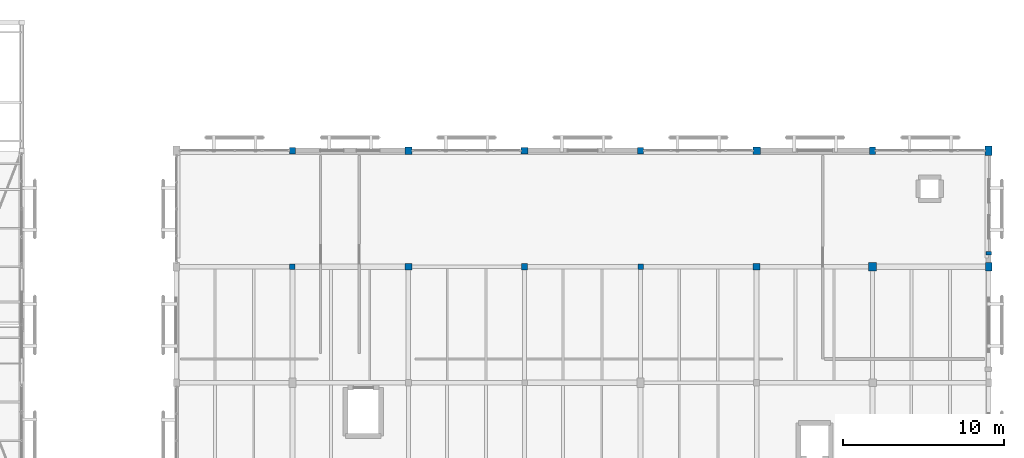
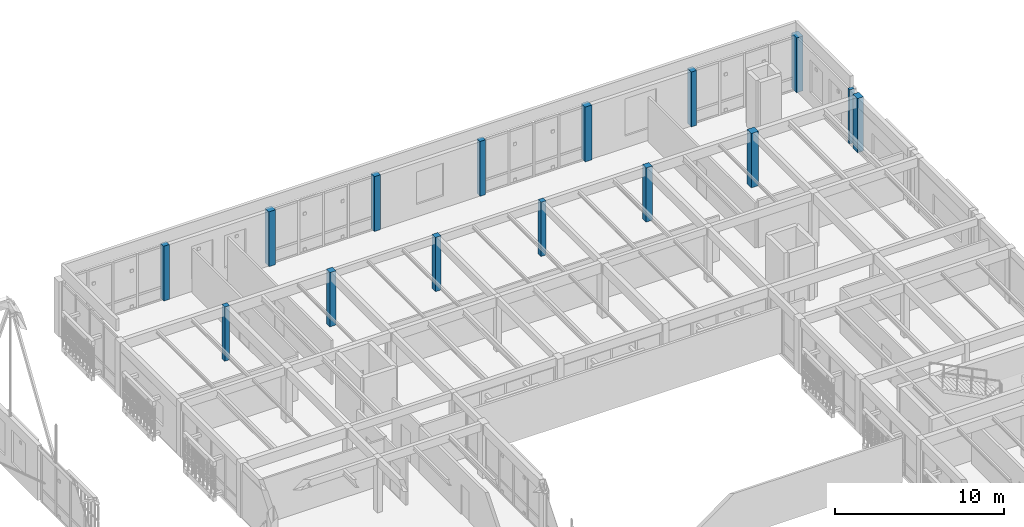
# One storey, part 15 of 217: 15 columns.
"""IFC4 building model written with IfcOpenShell, lengths in metres."""

from ifc_helpers import new_model, si_unit, direction, frame, origin, origin_2d, place, context, subcontext, project, spatial, rectangle, extrude, material, material_profile, profile_set, type_object, element, save


model = new_model("IFC4")

# Units and contexts
model_context = context("Model", 3, precision=1e-05, world=origin(), true_north=direction((0.0, 1.0)))
body_context = subcontext(model_context, "Body", "Model", "MODEL_VIEW")
ifc_project = project(units=[si_unit("LENGTHUNIT", "METRE"), si_unit("AREAUNIT", "SQUARE_METRE"), si_unit("VOLUMEUNIT", "CUBIC_METRE"), si_unit("PLANEANGLEUNIT", "RADIAN"), si_unit("MASSUNIT", "GRAM", prefix="KILO")], contexts=[model_context])

# Site, building, storey
site_placement = place(None, origin())
site = spatial("IfcSite", under=ifc_project, at=site_placement, CompositionType="ELEMENT")
building_placement = place(site_placement, origin())
building = spatial("IfcBuilding", under=site, at=building_placement, Name="Mazaris Harbour Polytechnic", CompositionType="ELEMENT")
storey_placement = place(building_placement, frame((0.0, 0.0, 9.60009765625)))
storey = spatial("IfcBuildingStorey", under=building, at=storey_placement, Name="L02", CompositionType="ELEMENT", Elevation=9.60009765625)

# Columns
ifc_material_1 = material(Name="Glulam GL28h", Category="wood")
ifc_material_profile_1 = material_profile(ifc_material_1, rectangle(XDim=0.340087890625, YDim=0.340087890625, at=origin_2d()), Name="RECT340x340")
ifc_profile_set_1 = profile_set([ifc_material_profile_1], Name="Glulam GL28h")
column_type_1 = type_object("IfcColumnType", Name="Glulam Column 340x340", PredefinedType="COLUMN", material=ifc_profile_set_1)
for number, where, z_axis, x_axis, name in (
    (1, (129.60009765625, 100.800048828125, 0.0), (0.0, 0.0, 1.0), (1.0, 0.0, 0.0), "V5 L02 Column 1344"),
    (2, (151.199951171875, 100.800048828125, 0.0), (0.0, 0.0, 1.0), (1.0, 0.0, 0.0), "V5 L02 Column 1368"),
):
    element("IfcColumn", number, at=place(storey_placement, frame(where, z_axis=z_axis, x_axis=x_axis)), inside=storey, type_object=column_type_1, Name=name, PredefinedType="COLUMN", context=body_context, shape_type="SweptSolid", body=[
        extrude(rectangle(XDim=0.340087890625, YDim=0.340087890625, at=origin_2d()), origin(), (0.0, 0.0, 1.0), 3.919921875),
    ])
ifc_material_2 = material(Name="Glulam GL28h", Category="wood")
ifc_material_profile_2 = material_profile(ifc_material_2, rectangle(XDim=0.360107421875, YDim=0.47998046875, at=origin_2d()), Name="RECT360x480")
ifc_profile_set_2 = profile_set([ifc_material_profile_2], Name="Glulam GL28h")
column_type_2 = type_object("IfcColumnType", Name="Glulam Column 360x480 Exterior", PredefinedType="COLUMN", material=ifc_profile_set_2)
column_1_placement = place(storey_placement, frame((165.60009765625, 108.0, 0.0), z_axis=(0.0, 0.0, 1.0), x_axis=(1.0, 0.0, 0.0)))
element("IfcColumn", 3, at=column_1_placement, inside=storey, type_object=column_type_2, Name="V5 L02 Column 1389", PredefinedType="COLUMN", context=body_context, shape_type="SweptSolid", body=[
    extrude(rectangle(XDim=0.360107421875, YDim=0.47998046875, at=origin_2d()), origin(), (0.0, 0.0, 1.0), 3.9599609375),
])
ifc_material_3 = material(Name="Glulam GL28h", Category="wood")
ifc_material_profile_3 = material_profile(ifc_material_3, rectangle(XDim=0.3798828125, YDim=0.3798828125, at=origin_2d()), Name="RECT380x380")
ifc_profile_set_3 = profile_set([ifc_material_profile_3], Name="Glulam GL28h")
column_type_3 = type_object("IfcColumnType", Name="Glulam Column 380x380", PredefinedType="COLUMN", material=ifc_profile_set_3)
column_2_placement = place(storey_placement, frame((144.0, 100.800048828125, 0.0), z_axis=(0.0, 0.0, 1.0), x_axis=(1.0, 0.0, 0.0)))
element("IfcColumn", 4, at=column_2_placement, inside=storey, type_object=column_type_3, Name="V5 L02 Column 1361", PredefinedType="COLUMN", context=body_context, shape_type="SweptSolid", body=[
    extrude(rectangle(XDim=0.3798828125, YDim=0.3798828125, at=origin_2d()), origin(), (0.0, 0.0, 1.0), 3.919921875),
])
ifc_material_4 = material(Name="Glulam GL28h", Category="wood")
ifc_material_profile_4 = material_profile(ifc_material_4, rectangle(XDim=0.3798828125, YDim=0.3798828125, at=origin_2d()), Name="RECT380x380")
ifc_profile_set_4 = profile_set([ifc_material_profile_4], Name="Glulam GL28h")
column_type_4 = type_object("IfcColumnType", Name="Glulam Column 380x380 Exterior", PredefinedType="COLUMN", material=ifc_profile_set_4)
for number, where, z_axis, x_axis, name in (
    (5, (129.60009765625, 108.0, 0.0), (0.0, 0.0, 1.0), (1.0, 0.0, 0.0), "V5 L02 Column 1345"),
    (6, (151.199951171875, 108.0, 0.0), (0.0, 0.0, 1.0), (1.0, 0.0, 0.0), "V5 L02 Column 1369"),
):
    element("IfcColumn", number, at=place(storey_placement, frame(where, z_axis=z_axis, x_axis=x_axis)), inside=storey, type_object=column_type_4, Name=name, PredefinedType="COLUMN", context=body_context, shape_type="SweptSolid", body=[
        extrude(rectangle(XDim=0.3798828125, YDim=0.3798828125, at=origin_2d()), origin(), (0.0, 0.0, 1.0), 3.9599609375),
    ])
ifc_material_5 = material(Name="Glulam GL28h", Category="wood")
ifc_material_profile_5 = material_profile(ifc_material_5, rectangle(XDim=0.39990234375, YDim=0.5400390625, at=origin_2d()), Name="RECT400x540")
ifc_profile_set_5 = profile_set([ifc_material_profile_5], Name="Glulam GL28h")
column_type_5 = type_object("IfcColumnType", Name="Glulam Column 400x540 Exterior", PredefinedType="COLUMN", material=ifc_profile_set_5)
column_3_placement = place(storey_placement, frame((172.800048828125, 100.800048828125, 0.0), z_axis=(0.0, 0.0, 1.0), x_axis=(1.0, 0.0, 0.0)))
element("IfcColumn", 7, at=column_3_placement, inside=storey, type_object=column_type_5, Name="V5 L02 Column 1398", PredefinedType="COLUMN", context=body_context, shape_type="SweptSolid", body=[
    extrude(rectangle(XDim=0.39990234375, YDim=0.5400390625, at=origin_2d()), origin(), (0.0, 0.0, 1.0), 3.919921875),
])
ifc_material_6 = material(Name="Glulam GL28h", Category="wood")
ifc_material_profile_6 = material_profile(ifc_material_6, rectangle(XDim=0.419921875, YDim=0.419921875, at=origin_2d()), Name="RECT420x420")
ifc_profile_set_6 = profile_set([ifc_material_profile_6], Name="Glulam GL28h")
column_type_6 = type_object("IfcColumnType", Name="Glulam Column 420x420", PredefinedType="COLUMN", material=ifc_profile_set_6)
for number, where, z_axis, x_axis, name in (
    (8, (136.800048828125, 100.800048828125, 0.0), (0.0, 0.0, 1.0), (1.0, 0.0, 0.0), "V5 L02 Column 1354"),
    (9, (158.39990234375, 100.800048828125, 0.0), (0.0, 0.0, 1.0), (1.0, 0.0, 0.0), "V5 L02 Column 1378"),
):
    element("IfcColumn", number, at=place(storey_placement, frame(where, z_axis=z_axis, x_axis=x_axis)), inside=storey, type_object=column_type_6, Name=name, PredefinedType="COLUMN", context=body_context, shape_type="SweptSolid", body=[
        extrude(rectangle(XDim=0.419921875, YDim=0.419921875, at=origin_2d()), origin(), (0.0, 0.0, 1.0), 3.919921875),
    ])
ifc_material_7 = material(Name="Glulam GL28h", Category="wood")
ifc_material_profile_7 = material_profile(ifc_material_7, rectangle(XDim=0.419921875, YDim=0.419921875, at=origin_2d()), Name="RECT420x420")
ifc_profile_set_7 = profile_set([ifc_material_profile_7], Name="Glulam GL28h")
column_type_7 = type_object("IfcColumnType", Name="Glulam Column 420x420 Exterior", PredefinedType="COLUMN", material=ifc_profile_set_7)
column_4_placement = place(storey_placement, frame((144.0, 108.0, 0.0), z_axis=(0.0, 0.0, 1.0), x_axis=(1.0, 0.0, 0.0)))
element("IfcColumn", 10, at=column_4_placement, inside=storey, type_object=column_type_7, Name="V5 L02 Column 1362", PredefinedType="COLUMN", context=body_context, shape_type="SweptSolid", body=[
    extrude(rectangle(XDim=0.419921875, YDim=0.419921875, at=origin_2d()), origin(), (0.0, 0.0, 1.0), 3.9599609375),
])
ifc_material_8 = material(Name="Glulam GL28h", Category="wood")
ifc_material_profile_8 = material_profile(ifc_material_8, rectangle(XDim=0.43994140625, YDim=0.60009765625, at=origin_2d()), Name="RECT440x600")
ifc_profile_set_8 = profile_set([ifc_material_profile_8], Name="Glulam GL28h")
column_type_8 = type_object("IfcColumnType", Name="Glulam Column 440x600 Exterior", PredefinedType="COLUMN", material=ifc_profile_set_8)
column_5_placement = place(storey_placement, frame((172.800048828125, 108.0, 0.0), z_axis=(0.0, 0.0, 1.0), x_axis=(1.0, 0.0, 0.0)))
element("IfcColumn", 11, at=column_5_placement, inside=storey, type_object=column_type_8, Name="V5 L02 Column 1399", PredefinedType="COLUMN", context=body_context, shape_type="SweptSolid", body=[
    extrude(rectangle(XDim=0.43994140625, YDim=0.60009765625, at=origin_2d()), origin(), (0.0, 0.0, 1.0), 3.9599609375),
])
ifc_material_9 = material(Name="Glulam GL28h", Category="wood")
ifc_material_profile_9 = material_profile(ifc_material_9, rectangle(XDim=0.4599609375, YDim=0.4599609375, at=origin_2d()), Name="RECT460x460")
ifc_profile_set_9 = profile_set([ifc_material_profile_9], Name="Glulam GL28h")
column_type_9 = type_object("IfcColumnType", Name="Glulam Column 460x460 Exterior", PredefinedType="COLUMN", material=ifc_profile_set_9)
for number, where, z_axis, x_axis, name in (
    (12, (136.800048828125, 108.0, 0.0), (0.0, 0.0, 1.0), (1.0, 0.0, 0.0), "V5 L02 Column 1355"),
    (13, (158.39990234375, 108.0, 0.0), (0.0, 0.0, 1.0), (1.0, 0.0, 0.0), "V5 L02 Column 1379"),
):
    element("IfcColumn", number, at=place(storey_placement, frame(where, z_axis=z_axis, x_axis=x_axis)), inside=storey, type_object=column_type_9, Name=name, PredefinedType="COLUMN", context=body_context, shape_type="SweptSolid", body=[
        extrude(rectangle(XDim=0.4599609375, YDim=0.4599609375, at=origin_2d()), origin(), (0.0, 0.0, 1.0), 3.9599609375),
    ])
ifc_material_10 = material(Name="Glulam GL28h", Category="wood")
ifc_material_profile_10 = material_profile(ifc_material_10, rectangle(XDim=0.5, YDim=0.5, at=origin_2d()), Name="RECT500x500")
ifc_profile_set_10 = profile_set([ifc_material_profile_10], Name="Glulam GL28h")
column_type_10 = type_object("IfcColumnType", Name="Glulam Column 500x500", PredefinedType="COLUMN", material=ifc_profile_set_10)
column_6_placement = place(storey_placement, frame((165.60009765625, 100.800048828125, 0.0), z_axis=(0.0, 0.0, 1.0), x_axis=(1.0, 0.0, 0.0)))
element("IfcColumn", 14, at=column_6_placement, inside=storey, type_object=column_type_10, Name="V5 L02 Column 1388", PredefinedType="COLUMN", context=body_context, shape_type="SweptSolid", body=[
    extrude(rectangle(XDim=0.5, YDim=0.5, at=origin_2d()), origin(), (0.0, 0.0, 1.0), 3.919921875),
])
ifc_material_11 = material(Name="Concrete C35/45", Category="concrete")
ifc_material_profile_11 = material_profile(ifc_material_11, rectangle(XDim=0.320068359375, YDim=0.219970703125, at=origin_2d()), Name="RECT320x220")
ifc_profile_set_11 = profile_set([ifc_material_profile_11], Name="Concrete C35/45")
column_type_11 = type_object("IfcColumnType", Name="Limestone Pilaster 320x220", PredefinedType="PILASTER", material=ifc_profile_set_11)
column_7_placement = place(storey_placement, frame((172.800048828125, 101.64990234375, 0.0), z_axis=(0.0, 0.0, 1.0), x_axis=(1.0, 0.0, 0.0)))
element("IfcColumn", 15, at=column_7_placement, inside=storey, type_object=column_type_11, Name="V5 L02 Giant Order Pilaster 80", PredefinedType="PILASTER", context=body_context, shape_type="SweptSolid", body=[
    extrude(rectangle(XDim=0.320068359375, YDim=0.219970703125, at=origin_2d()), origin(), (0.0, 0.0, 1.0), 3.919921875),
])

save(model, "model.ifc")
